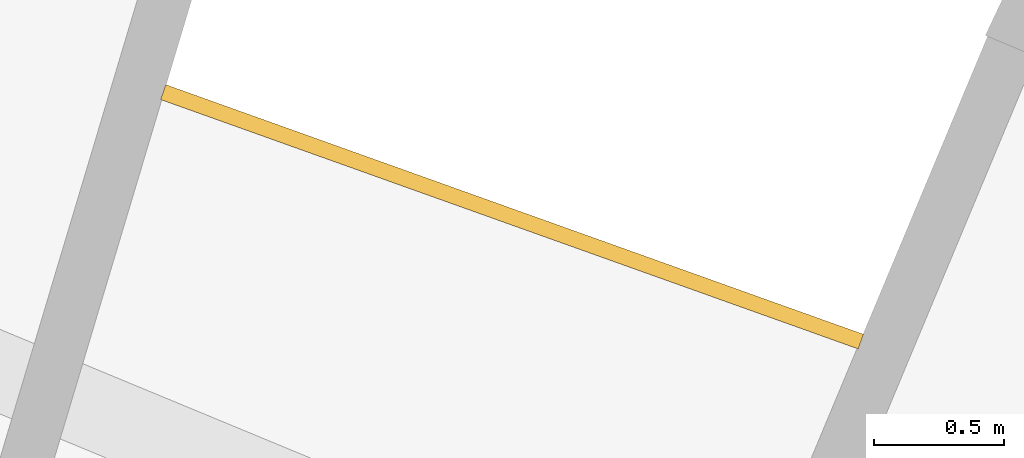
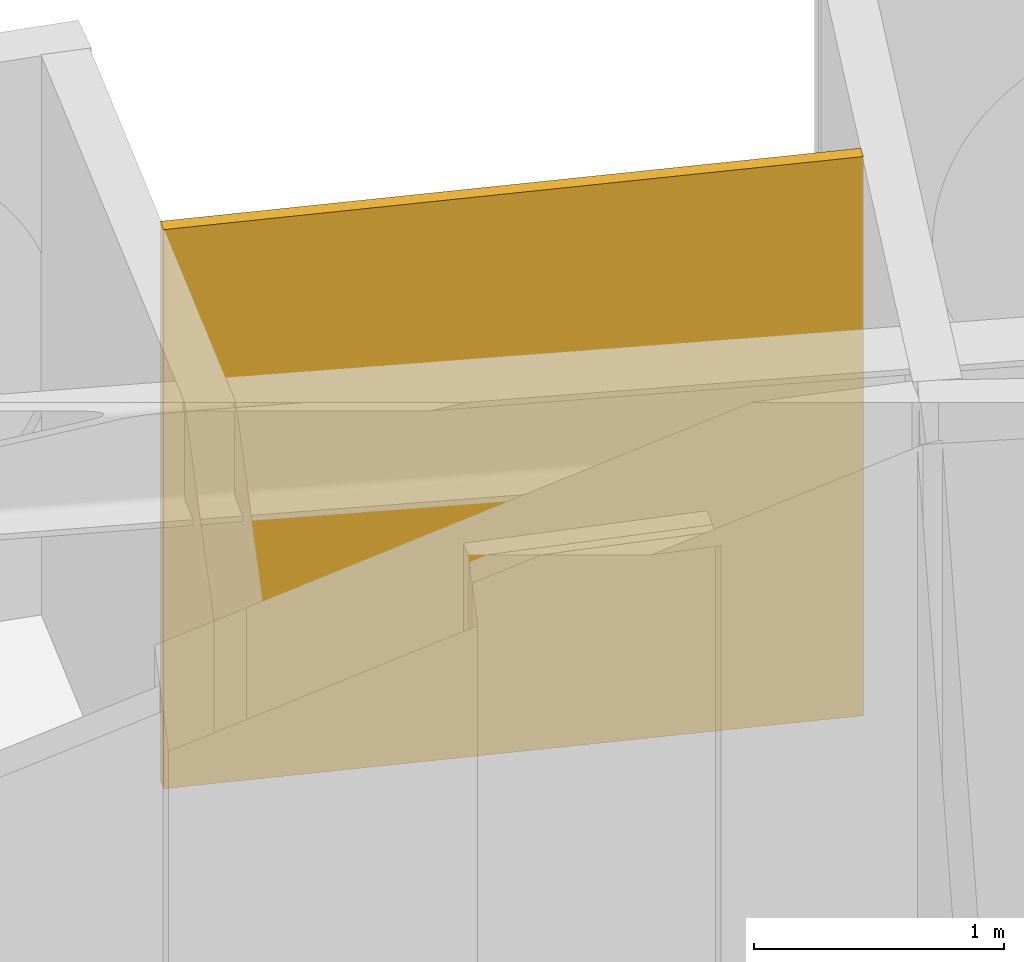
# One storey, part 26 of 26: 1 railing.
"""IFC4 building model written with IfcOpenShell, lengths in metres."""

import ifcopenshell
import ifcopenshell.guid

model = None  # the IFC model being written
_history = None  # IfcOwnerHistory: only IFC2X3 demands one
_inside = {}  # id of a spatial element -> (the spatial element, [elements in it])
_under = {}  # id of a project, library or spatial element -> (it, [spatial elements below it])
_declared = {}  # id of a project -> (the project, [libraries it declares])
_typed = {}  # id of a type object -> (the type object, [elements of that type])
_made_of = {}  # id of a material, layer set ... -> (it, [elements and type objects made of it])


def new_model(schema):
    """Start an empty IFC model of exactly this schema.

    Asked for "IFC4X3", IfcOpenShell would pick the latest addendum, in which some entities
    have other attributes; the version numbers below select the first issue.
    IFC2X3 requires an IfcOwnerHistory on every rooted entity: one is made here for all.
    """
    global model, _history
    if schema == "IFC4X3":
        model = ifcopenshell.file(schema_version=(4, 3, 0, 0))
    else:
        model = ifcopenshell.file(schema=schema)
    _inside.clear()
    _under.clear()
    _declared.clear()
    _typed.clear()
    _made_of.clear()
    _history = None
    if model.schema == "IFC2X3":
        org = make("IfcOrganization", Name="unknown")
        user = make(
            "IfcPersonAndOrganization",
            ThePerson=make("IfcPerson", FamilyName="unknown"),
            TheOrganization=org,
        )
        app = make(
            "IfcApplication",
            ApplicationDeveloper=org,
            Version="unknown",
            ApplicationFullName="unknown",
            ApplicationIdentifier="unknown",
        )
        _history = make(
            "IfcOwnerHistory",
            OwningUser=user,
            OwningApplication=app,
            ChangeAction="ADDED",
            CreationDate=0,
        )
    return model


def make(cls, **values):
    """One entity of the class cls with the attributes given. An attribute that is None is left unset."""
    return model.create_entity(
        cls, **{name: value for name, value in values.items() if value is not None}
    )


def rooted(cls, **values):
    """An entity with a GlobalId (a new one), such as an element, a storey or a relation."""
    return make(cls, GlobalId=ifcopenshell.guid.new(), OwnerHistory=_history, **values)


def si_unit(unit_type, name, prefix=None):
    """IfcSIUnit, for example si_unit("LENGTHUNIT", "METRE", prefix="MILLI")."""
    return make("IfcSIUnit", UnitType=unit_type, Prefix=prefix, Name=name)


def assignment(units):
    """IfcUnitAssignment: the units of a project."""
    return None if units is None else make("IfcUnitAssignment", Units=units)


def point(xyz):
    """IfcCartesianPoint."""
    return None if xyz is None else make("IfcCartesianPoint", Coordinates=xyz)


def direction(xyz):
    """IfcDirection."""
    return None if xyz is None else make("IfcDirection", DirectionRatios=xyz)


def frame(location, z_axis=None, x_axis=None):
    """IfcAxis2Placement3D, a coordinate frame: its origin and axes. An axis left out is left unset."""
    return make(
        "IfcAxis2Placement3D",
        Location=point(location),
        Axis=direction(z_axis),
        RefDirection=direction(x_axis),
    )


def origin():
    """The frame at (0, 0, 0) with its axes left unset."""
    return frame((0.0, 0.0, 0.0))


def place(relative_to, where):
    """IfcLocalPlacement: puts the frame where relative to a parent placement (None: the world)."""
    return make(
        "IfcLocalPlacement", PlacementRelTo=relative_to, RelativePlacement=where
    )


def context(
    kind, dimensions, precision=None, world=None, true_north=None, identifier=None
):
    """IfcGeometricRepresentationContext, for example the 3D "Model" context."""
    return make(
        "IfcGeometricRepresentationContext",
        ContextIdentifier=identifier,
        ContextType=kind,
        CoordinateSpaceDimension=dimensions,
        Precision=precision,
        WorldCoordinateSystem=world,
        TrueNorth=true_north,
    )


def subcontext(parent, identifier, kind, view, scale=None):
    """IfcGeometricRepresentationSubContext, for example "Body" below "Model"."""
    return make(
        "IfcGeometricRepresentationSubContext",
        ContextIdentifier=identifier,
        ContextType=kind,
        ParentContext=parent,
        TargetScale=scale,
        TargetView=view,
    )


def project(units=None, contexts=None):
    """IfcProject with its units and contexts."""
    return rooted(
        "IfcProject",
        Name="project",
        RepresentationContexts=contexts,
        UnitsInContext=assignment(units),
    )


def spatial(cls, under=None, at=None, **own):
    """A site, building, storey or space (cls), placed at a placement, below another one or the project."""
    s = rooted(cls, ObjectPlacement=at, **own)
    if under is not None:
        _under.setdefault(under.id(), (under, []))[1].append(s)
    return s


def polyline(points):
    """IfcPolyline through the points."""
    return make("IfcPolyline", Points=[point(p) for p in points])


def outline(outer, holes=None, kind="AREA"):
    """IfcArbitraryClosedProfileDef: a profile drawn as a closed curve; with holes, ...WithVoids."""
    if holes is None:
        return make("IfcArbitraryClosedProfileDef", ProfileType=kind, OuterCurve=outer)
    return make(
        "IfcArbitraryProfileDefWithVoids",
        ProfileType=kind,
        OuterCurve=outer,
        InnerCurves=holes,
    )


def extrude(swept, where, along, depth):
    """IfcExtrudedAreaSolid: the profile swept, set in the frame where, extruded along a direction by depth."""
    return make(
        "IfcExtrudedAreaSolid",
        SweptArea=swept,
        Position=where,
        ExtrudedDirection=direction(along),
        Depth=depth,
    )


def shape(context_of_items, identifier, shape_type, items):
    """IfcShapeRepresentation: the items that make up one representation, for example the "Body"."""
    return make(
        "IfcShapeRepresentation",
        ContextOfItems=context_of_items,
        RepresentationIdentifier=identifier,
        RepresentationType=shape_type,
        Items=items,
    )


def material(Name=None, Category=None):
    """IfcMaterial."""
    return make("IfcMaterial", Name=Name, Category=Category)


def layer(
    of_material, thickness, ventilated=None, Name=None, Category=None, Priority=None
):
    """IfcMaterialLayer: one layer of a wall or slab, of a material (None: an air gap)."""
    return make(
        "IfcMaterialLayer",
        Material=of_material,
        LayerThickness=thickness,
        IsVentilated=ventilated,
        Name=Name,
        Category=Category,
        Priority=Priority,
    )


def layer_set(layers, Name=None):
    """IfcMaterialLayerSet."""
    return make("IfcMaterialLayerSet", MaterialLayers=layers, LayerSetName=Name)


def made_of(thing, what):
    """Note that an element or type object is made of a material, layer set ...; save() writes the relation."""
    if what is not None:
        _made_of.setdefault(what.id(), (what, []))[1].append(thing)
    return thing


def type_object(cls, material=None, **own):
    """A type object (cls), such as IfcWallType, which elements share."""
    return made_of(rooted(cls, **own), material)


def element(
    cls,
    number,
    at=None,
    inside=None,
    cuts=None,
    type_object=None,
    material=None,
    context=None,
    identifier="Body",
    shape_type=None,
    held_by="IfcProductDefinitionShape",
    body=None,
    shapes=None,
    **own,
):
    """One element of the class cls, such as IfcWall. Its Tag is "e" and its number.

    at: its placement. inside: the storey or other place that contains it. cuts: it is an
    opening in that element (IfcRelVoidsElement). A single representation is given by context,
    identifier, shape_type and body (its items); several are given by shapes. held_by: the class
    of the entity that holds the representations. save() writes the other relations.
    """
    e = rooted(cls, Tag="e%d" % number, ObjectPlacement=at, **own)
    if body is not None:
        shapes = [shape(context, identifier, shape_type, body)]
    if shapes is not None:
        e.Representation = make(held_by, Representations=shapes)
    if inside is not None:
        _inside.setdefault(inside.id(), (inside, []))[1].append(e)
    if cuts is not None:
        rooted(
            "IfcRelVoidsElement", RelatingBuildingElement=cuts, RelatedOpeningElement=e
        )
    if type_object is not None:
        _typed.setdefault(type_object.id(), (type_object, []))[1].append(e)
    return made_of(e, material)


def aggregate(whole, parts):
    """IfcRelAggregates: a whole, such as a stair, and the parts it consists of."""
    return rooted("IfcRelAggregates", RelatingObject=whole, RelatedObjects=parts)


def save(model, path):
    """Write the relations noted so far, then the file.

    IfcRelAggregates (storeys below a building ...), IfcRelContainedInSpatialStructure (elements
    in a storey), IfcRelDefinesByType, IfcRelAssociatesMaterial and IfcRelDeclares: one each for
    every whole, place, type object, material and project.
    """
    for whole, parts in _under.values():
        aggregate(whole, parts)
    for where, things in _inside.values():
        rooted(
            "IfcRelContainedInSpatialStructure",
            RelatedElements=things,
            RelatingStructure=where,
        )
    for kind, things in _typed.values():
        rooted("IfcRelDefinesByType", RelatedObjects=things, RelatingType=kind)
    for what, things in _made_of.values():
        rooted("IfcRelAssociatesMaterial", RelatedObjects=things, RelatingMaterial=what)
    for by, libraries in _declared.values():
        rooted("IfcRelDeclares", RelatingContext=by, RelatedDefinitions=libraries)
    model.write(path)


model = new_model("IFC4")

# Units and contexts
model_context = context("Model", 3, precision=1e-05, world=origin(), true_north=direction((0.0, 1.0)))
body_context = subcontext(model_context, "Body", "Model", "MODEL_VIEW")
ifc_project = project(units=[si_unit("LENGTHUNIT", "METRE"), si_unit("AREAUNIT", "SQUARE_METRE"), si_unit("VOLUMEUNIT", "CUBIC_METRE"), si_unit("PLANEANGLEUNIT", "RADIAN"), si_unit("MASSUNIT", "GRAM", prefix="KILO")], contexts=[model_context])

# Site, building, storey
site_placement = place(None, origin())
site = spatial("IfcSite", under=ifc_project, at=site_placement, CompositionType="ELEMENT")
building_placement = place(site_placement, origin())
building = spatial("IfcBuilding", under=site, at=building_placement, Name="Maasbend Ring Residences", CompositionType="ELEMENT")
storey_placement = place(building_placement, frame((0.0, 0.0, 35.0)))
storey = spatial("IfcBuildingStorey", under=building, at=storey_placement, Name="L09", CompositionType="ELEMENT", Elevation=35.0)

# Railing
ifc_material = material(Name="Pale anodised perforated aluminium", Category="aluminium")
ifc_layer = layer(ifc_material, 0.06005859375)
ifc_layer_set = layer_set([ifc_layer], Name="SCREEN-P")
railing_type = type_object("IfcRailingType", Name="SCREEN-P", PredefinedType="GUARDRAIL", material=ifc_layer_set)
railing_placement = place(storey_placement, frame((0.0, 0.0, -0.030029296875)))
element("IfcRailing", 1, at=railing_placement, inside=storey, type_object=railing_type, Name="Perforated screen guard 4", PredefinedType="GUARDRAIL", context=body_context, shape_type="SweptSolid", body=[
    extrude(outline(polyline([(11.097900390625, 26.79296875), (8.41796875, 27.7509765625), (8.43798828125, 27.80810546875), (11.117919921875, 26.84912109375), (11.097900390625, 26.79296875)])), origin(), (0.0, 0.0, 1.0), 2.72998046875),
])

save(model, "model.ifc")
